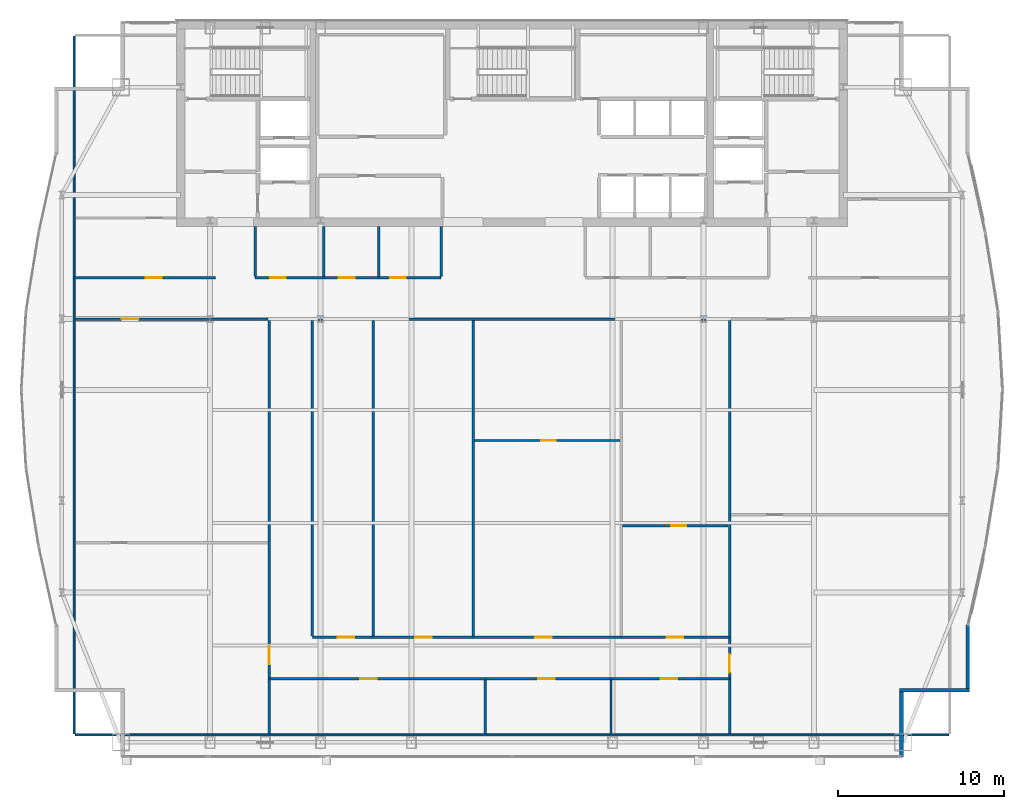
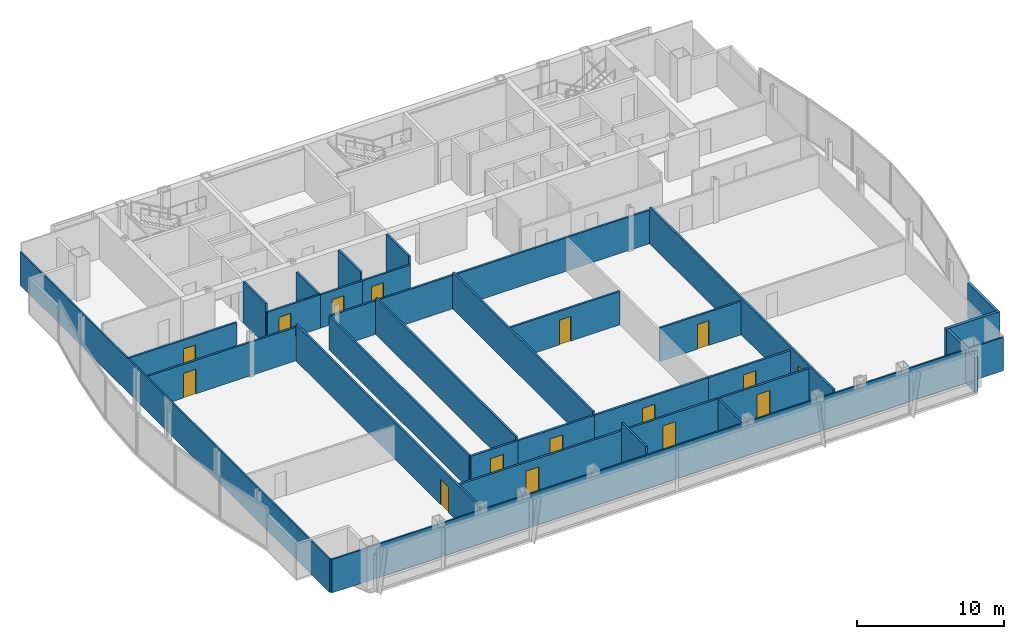
# One storey, part 25 of 30: 31 walls, 16 doors, 16 openings.
"""IFC4 building model written with IfcOpenShell, lengths in metres."""

import ifcopenshell
import ifcopenshell.guid

model = None  # the IFC model being written
_history = None  # IfcOwnerHistory: only IFC2X3 demands one
_inside = {}  # id of a spatial element -> (the spatial element, [elements in it])
_under = {}  # id of a project, library or spatial element -> (it, [spatial elements below it])
_declared = {}  # id of a project -> (the project, [libraries it declares])
_typed = {}  # id of a type object -> (the type object, [elements of that type])
_made_of = {}  # id of a material, layer set ... -> (it, [elements and type objects made of it])


def new_model(schema):
    """Start an empty IFC model of exactly this schema.

    Asked for "IFC4X3", IfcOpenShell would pick the latest addendum, in which some entities
    have other attributes; the version numbers below select the first issue.
    IFC2X3 requires an IfcOwnerHistory on every rooted entity: one is made here for all.
    """
    global model, _history
    if schema == "IFC4X3":
        model = ifcopenshell.file(schema_version=(4, 3, 0, 0))
    else:
        model = ifcopenshell.file(schema=schema)
    _inside.clear()
    _under.clear()
    _declared.clear()
    _typed.clear()
    _made_of.clear()
    _history = None
    if model.schema == "IFC2X3":
        org = make("IfcOrganization", Name="unknown")
        user = make(
            "IfcPersonAndOrganization",
            ThePerson=make("IfcPerson", FamilyName="unknown"),
            TheOrganization=org,
        )
        app = make(
            "IfcApplication",
            ApplicationDeveloper=org,
            Version="unknown",
            ApplicationFullName="unknown",
            ApplicationIdentifier="unknown",
        )
        _history = make(
            "IfcOwnerHistory",
            OwningUser=user,
            OwningApplication=app,
            ChangeAction="ADDED",
            CreationDate=0,
        )
    return model


def make(cls, **values):
    """One entity of the class cls with the attributes given. An attribute that is None is left unset."""
    return model.create_entity(
        cls, **{name: value for name, value in values.items() if value is not None}
    )


def rooted(cls, **values):
    """An entity with a GlobalId (a new one), such as an element, a storey or a relation."""
    return make(cls, GlobalId=ifcopenshell.guid.new(), OwnerHistory=_history, **values)


def si_unit(unit_type, name, prefix=None):
    """IfcSIUnit, for example si_unit("LENGTHUNIT", "METRE", prefix="MILLI")."""
    return make("IfcSIUnit", UnitType=unit_type, Prefix=prefix, Name=name)


def assignment(units):
    """IfcUnitAssignment: the units of a project."""
    return None if units is None else make("IfcUnitAssignment", Units=units)


def point(xyz):
    """IfcCartesianPoint."""
    return None if xyz is None else make("IfcCartesianPoint", Coordinates=xyz)


def direction(xyz):
    """IfcDirection."""
    return None if xyz is None else make("IfcDirection", DirectionRatios=xyz)


def frame(location, z_axis=None, x_axis=None):
    """IfcAxis2Placement3D, a coordinate frame: its origin and axes. An axis left out is left unset."""
    return make(
        "IfcAxis2Placement3D",
        Location=point(location),
        Axis=direction(z_axis),
        RefDirection=direction(x_axis),
    )


def frame_2d(location, x_axis=None):
    """IfcAxis2Placement2D, a coordinate frame in the plane: its origin and x axis."""
    return make(
        "IfcAxis2Placement2D", Location=point(location), RefDirection=direction(x_axis)
    )


def origin():
    """The frame at (0, 0, 0) with its axes left unset."""
    return frame((0.0, 0.0, 0.0))


def place(relative_to, where):
    """IfcLocalPlacement: puts the frame where relative to a parent placement (None: the world)."""
    return make(
        "IfcLocalPlacement", PlacementRelTo=relative_to, RelativePlacement=where
    )


def context(
    kind, dimensions, precision=None, world=None, true_north=None, identifier=None
):
    """IfcGeometricRepresentationContext, for example the 3D "Model" context."""
    return make(
        "IfcGeometricRepresentationContext",
        ContextIdentifier=identifier,
        ContextType=kind,
        CoordinateSpaceDimension=dimensions,
        Precision=precision,
        WorldCoordinateSystem=world,
        TrueNorth=true_north,
    )


def subcontext(parent, identifier, kind, view, scale=None):
    """IfcGeometricRepresentationSubContext, for example "Body" below "Model"."""
    return make(
        "IfcGeometricRepresentationSubContext",
        ContextIdentifier=identifier,
        ContextType=kind,
        ParentContext=parent,
        TargetScale=scale,
        TargetView=view,
    )


def project(units=None, contexts=None):
    """IfcProject with its units and contexts."""
    return rooted(
        "IfcProject",
        Name="project",
        RepresentationContexts=contexts,
        UnitsInContext=assignment(units),
    )


def spatial(cls, under=None, at=None, **own):
    """A site, building, storey or space (cls), placed at a placement, below another one or the project."""
    s = rooted(cls, ObjectPlacement=at, **own)
    if under is not None:
        _under.setdefault(under.id(), (under, []))[1].append(s)
    return s


def profile(cls, at=None, kind="AREA", **sizes):
    """A parametric profile (cls). Its sizes go by their IFC names, for example OverallWidth=200.0."""
    return make(cls, ProfileType=kind, Position=at, **sizes)


def rectangle(**sizes):
    """IfcRectangleProfileDef."""
    return profile("IfcRectangleProfileDef", **sizes)


def extrude(swept, where, along, depth):
    """IfcExtrudedAreaSolid: the profile swept, set in the frame where, extruded along a direction by depth."""
    return make(
        "IfcExtrudedAreaSolid",
        SweptArea=swept,
        Position=where,
        ExtrudedDirection=direction(along),
        Depth=depth,
    )


def shape(context_of_items, identifier, shape_type, items):
    """IfcShapeRepresentation: the items that make up one representation, for example the "Body"."""
    return make(
        "IfcShapeRepresentation",
        ContextOfItems=context_of_items,
        RepresentationIdentifier=identifier,
        RepresentationType=shape_type,
        Items=items,
    )


def material(Name=None, Category=None):
    """IfcMaterial."""
    return make("IfcMaterial", Name=Name, Category=Category)


def layer(
    of_material, thickness, ventilated=None, Name=None, Category=None, Priority=None
):
    """IfcMaterialLayer: one layer of a wall or slab, of a material (None: an air gap)."""
    return make(
        "IfcMaterialLayer",
        Material=of_material,
        LayerThickness=thickness,
        IsVentilated=ventilated,
        Name=Name,
        Category=Category,
        Priority=Priority,
    )


def layer_set(layers, Name=None):
    """IfcMaterialLayerSet."""
    return make("IfcMaterialLayerSet", MaterialLayers=layers, LayerSetName=Name)


def made_of(thing, what):
    """Note that an element or type object is made of a material, layer set ...; save() writes the relation."""
    if what is not None:
        _made_of.setdefault(what.id(), (what, []))[1].append(thing)
    return thing


def type_object(cls, material=None, **own):
    """A type object (cls), such as IfcWallType, which elements share."""
    return made_of(rooted(cls, **own), material)


def element(
    cls,
    number,
    at=None,
    inside=None,
    cuts=None,
    type_object=None,
    material=None,
    context=None,
    identifier="Body",
    shape_type=None,
    held_by="IfcProductDefinitionShape",
    body=None,
    shapes=None,
    **own,
):
    """One element of the class cls, such as IfcWall. Its Tag is "e" and its number.

    at: its placement. inside: the storey or other place that contains it. cuts: it is an
    opening in that element (IfcRelVoidsElement). A single representation is given by context,
    identifier, shape_type and body (its items); several are given by shapes. held_by: the class
    of the entity that holds the representations. save() writes the other relations.
    """
    e = rooted(cls, Tag="e%d" % number, ObjectPlacement=at, **own)
    if body is not None:
        shapes = [shape(context, identifier, shape_type, body)]
    if shapes is not None:
        e.Representation = make(held_by, Representations=shapes)
    if inside is not None:
        _inside.setdefault(inside.id(), (inside, []))[1].append(e)
    if cuts is not None:
        rooted(
            "IfcRelVoidsElement", RelatingBuildingElement=cuts, RelatedOpeningElement=e
        )
    if type_object is not None:
        _typed.setdefault(type_object.id(), (type_object, []))[1].append(e)
    return made_of(e, material)


def fill(opening, filler):
    """IfcRelFillsElement: the door or window that sits in an opening."""
    return rooted(
        "IfcRelFillsElement",
        RelatingOpeningElement=opening,
        RelatedBuildingElement=filler,
    )


def aggregate(whole, parts):
    """IfcRelAggregates: a whole, such as a stair, and the parts it consists of."""
    return rooted("IfcRelAggregates", RelatingObject=whole, RelatedObjects=parts)


def save(model, path):
    """Write the relations noted so far, then the file.

    IfcRelAggregates (storeys below a building ...), IfcRelContainedInSpatialStructure (elements
    in a storey), IfcRelDefinesByType, IfcRelAssociatesMaterial and IfcRelDeclares: one each for
    every whole, place, type object, material and project.
    """
    for whole, parts in _under.values():
        aggregate(whole, parts)
    for where, things in _inside.values():
        rooted(
            "IfcRelContainedInSpatialStructure",
            RelatedElements=things,
            RelatingStructure=where,
        )
    for kind, things in _typed.values():
        rooted("IfcRelDefinesByType", RelatedObjects=things, RelatingType=kind)
    for what, things in _made_of.values():
        rooted("IfcRelAssociatesMaterial", RelatedObjects=things, RelatingMaterial=what)
    for by, libraries in _declared.values():
        rooted("IfcRelDeclares", RelatingContext=by, RelatedDefinitions=libraries)
    model.write(path)


model = new_model("IFC4")

# Units and contexts
model_context = context("Model", 3, precision=1e-05, world=origin(), true_north=direction((0.0, 1.0)))
body_context = subcontext(model_context, "Body", "Model", "MODEL_VIEW")
ifc_project = project(units=[si_unit("LENGTHUNIT", "METRE"), si_unit("AREAUNIT", "SQUARE_METRE"), si_unit("VOLUMEUNIT", "CUBIC_METRE"), si_unit("PLANEANGLEUNIT", "RADIAN"), si_unit("MASSUNIT", "GRAM", prefix="KILO")], contexts=[model_context])

# Site, building, storey
site_placement = place(None, origin())
site = spatial("IfcSite", under=ifc_project, at=site_placement, CompositionType="ELEMENT")
building_placement = place(site_placement, origin())
building = spatial("IfcBuilding", under=site, at=building_placement, Name="Khoronbel Lancet Exchange", CompositionType="ELEMENT")
storey_placement = place(building_placement, frame((0.0, 0.0, 269.800048828125)))
storey = spatial("IfcBuildingStorey", under=building, at=storey_placement, Name="L69", CompositionType="ELEMENT", Elevation=269.800048828125)

# Walls
ifc_material_1 = material(Name="Precast concrete C40/50", Category="concrete")
ifc_layer_1 = layer(ifc_material_1, 0.25, Name="Precast concrete C40/50")
ifc_layer_set_1 = layer_set([ifc_layer_1], Name="Precast concrete C40/50")
wall_type_1 = type_object("IfcWallType", Name="WL-EXT250", PredefinedType="SOLIDWALL", material=ifc_layer_set_1)
wall_1_placement = place(storey_placement, frame((63.9599609375, 17.229736328125, 0.0), z_axis=(0.0, 0.0, 1.0), x_axis=(0.0, -1.0, 0.0)))
element("IfcWall", 1, at=wall_1_placement, inside=storey, type_object=wall_type_1, Name="Level L69 notched-corner limestone pier 23", PredefinedType="SOLIDWALL", context=body_context, shape_type="SweptSolid", body=[
    extrude(rectangle(XDim=3.829833984375, YDim=0.219970703125, at=frame_2d((1.9150390625, 0.0))), origin(), (0.0, 0.0, 1.0), 2.8798828125),
])
wall_2_placement = place(storey_placement, frame((64.070068359375, 13.2900390625, 0.0), z_axis=(0.0, 0.0, 1.0), x_axis=(-1.0, 0.0, 0.0)))
element("IfcWall", 2, at=wall_2_placement, inside=storey, type_object=wall_type_1, Name="Level L69 notched-corner limestone pier 24", PredefinedType="SOLIDWALL", context=body_context, shape_type="SweptSolid", body=[
    extrude(rectangle(XDim=4.219970703125, YDim=0.219970703125, at=frame_2d((2.10986328125, 0.0))), origin(), (0.0, 0.0, 1.0), 2.8798828125),
])
wall_3_placement = place(storey_placement, frame((59.9599609375, 13.179931640625, 0.0), z_axis=(0.0, 0.0, 1.0), x_axis=(0.0, -1.0, 0.0)))
element("IfcWall", 3, at=wall_3_placement, inside=storey, type_object=wall_type_1, Name="Level L69 notched-corner limestone pier 25", PredefinedType="SOLIDWALL", context=body_context, shape_type="SweptSolid", body=[
    extrude(rectangle(XDim=3.909912109375, YDim=0.219970703125, at=frame_2d((1.955078125, 0.0))), origin(), (0.0, 0.0, 1.0), 2.8798828125),
])
ifc_material_2 = material(Name="Acoustic Metal-Stud & Mineral-Wool Gypsum Partition 120 mm", Category="gypsum")
ifc_layer_2 = layer(ifc_material_2, 0.1201171875, Name="Acoustic Metal-Stud & Mineral-Wool Gypsum Partition 120 mm")
ifc_layer_set_2 = layer_set([ifc_layer_2], Name="Acoustic Metal-Stud & Mineral-Wool Gypsum Partition 120 mm")
wall_type_2 = type_object("IfcWallType", Name="WL-PRT120", PredefinedType="PARTITIONING", material=ifc_layer_set_2)
wall_4_placement = place(storey_placement, frame((20.949951171875, 38.280029296875, 0.0), z_axis=(0.0, 0.0, 1.0), x_axis=(0.0, 1.0, 0.0)))
element("IfcWall", 4, at=wall_4_placement, inside=storey, type_object=wall_type_2, Name="Level L69 interior partition PW-WC-0", PredefinedType="PARTITIONING", context=body_context, shape_type="SweptSolid", body=[
    extrude(rectangle(XDim=3.02001953125, YDim=0.14990234375, at=frame_2d((1.510009765625, 0.0))), origin(), (0.0, 0.0, 1.0), 3.43994140625),
])
wall_5_placement = place(storey_placement, frame((25.10009765625, 38.280029296875, 0.0), z_axis=(0.0, 0.0, 1.0), x_axis=(0.0, 1.0, 0.0)))
element("IfcWall", 5, at=wall_5_placement, inside=storey, type_object=wall_type_2, Name="Level L69 interior partition PW-WC-1", PredefinedType="PARTITIONING", context=body_context, shape_type="SweptSolid", body=[
    extrude(rectangle(XDim=3.02001953125, YDim=0.14990234375, at=frame_2d((1.510009765625, 0.0))), origin(), (0.0, 0.0, 1.0), 2.780029296875),
])
for number, where, z_axis, x_axis, name in (
    (6, (28.39990234375, 38.280029296875, 0.0), (0.0, 0.0, 1.0), (0.0, 1.0, 0.0), "Level L69 interior partition PW-WC-2"),
    (7, (32.179931640625, 38.280029296875, 0.0), (0.0, 0.0, 1.0), (0.0, 1.0, 0.0), "Level L69 interior partition PW-WC-3"),
):
    element("IfcWall", number, at=place(storey_placement, frame(where, z_axis=z_axis, x_axis=x_axis)), inside=storey, type_object=wall_type_2, Name=name, PredefinedType="PARTITIONING", context=body_context, shape_type="SweptSolid", body=[
        extrude(rectangle(XDim=3.02001953125, YDim=0.14990234375, at=frame_2d((1.510009765625, 0.0))), origin(), (0.0, 0.0, 1.0), 3.43994140625),
    ])

# Wall, opening, door
wall_6_placement = place(storey_placement, frame((34.187255859375, 28.371337890625, 0.0), z_axis=(0.0, 0.0, 1.0), x_axis=(1.0, 0.0, 0.0)))
wall_6 = element("IfcWall", 8, at=wall_6_placement, inside=storey, type_object=wall_type_2, Name="Level L69 interior partition PW-Z4C-H3", PredefinedType="PARTITIONING", context=body_context, shape_type="SweptSolid", body=[
    extrude(rectangle(XDim=8.76904296875, YDim=0.14990234375, at=frame_2d((4.384521484375, 0.0))), origin(), (0.0, 0.0, 1.0), 2.780029296875),
])
opening_1_placement = place(wall_6_placement, frame((4.01806640625, 0.0, 0.0)))
opening_1 = element("IfcOpeningElement", 9, at=opening_1_placement, cuts=wall_6, Name="Opening D5", PredefinedType="OPENING", context=body_context, shape_type="SweptSolid", body=[
    extrude(rectangle(XDim=0.89990234375, YDim=2.050048828125, at=frame_2d((0.449951171875, 1.02490234375))), frame((0.0, 0.0849609375, 0.0), z_axis=(0.0, -1.0, 0.0), x_axis=(1.0, 0.0, 0.0)), (0.0, 0.0, 1.0), 0.169921875),
])
ifc_material_3 = material(Name="Acoustic Timber Pantry & Support Door", Category="wood")
door_type_1 = type_object("IfcDoorType", Name="DR-D5", OperationType="NOTDEFINED", PredefinedType="DOOR", material=ifc_material_3)
door_1_placement = place(opening_1_placement, origin())
door_1 = element("IfcDoor", 10, at=door_1_placement, inside=storey, type_object=door_type_1, Name="Z4C inner door 3 L69-1", OperationType="SINGLE_SWING_RIGHT", OverallHeight=2.050048828125, OverallWidth=0.89990234375, PredefinedType="DOOR", context=body_context, shape_type="SweptSolid", body=[
    extrude(rectangle(XDim=0.89990234375, YDim=2.050048828125, at=frame_2d((0.449951171875, 1.02490234375))), frame((0.0, 0.02490234375, 0.0), z_axis=(0.0, -1.0, 0.0), x_axis=(1.0, 0.0, 0.0)), (0.0, 0.0, 1.0), 0.050048828125),
])
fill(opening_1, door_1)

wall_7_placement = place(storey_placement, frame((43.1162109375, 23.227294921875, 0.0), z_axis=(0.0, 0.0, 1.0), x_axis=(1.0, 0.0, 0.0)))
wall_7 = element("IfcWall", 11, at=wall_7_placement, inside=storey, type_object=wall_type_2, Name="Level L69 interior partition PW-Z4C-H4", PredefinedType="PARTITIONING", context=body_context, shape_type="SweptSolid", body=[
    extrude(rectangle(XDim=6.3837890625, YDim=0.14990234375, at=frame_2d((3.19189453125, 0.0))), origin(), (0.0, 0.0, 1.0), 2.780029296875),
])
opening_2_placement = place(wall_7_placement, frame((2.944580078125, 0.0, 0.0)))
opening_2 = element("IfcOpeningElement", 12, at=opening_2_placement, cuts=wall_7, Name="Opening D5", PredefinedType="OPENING", context=body_context, shape_type="SweptSolid", body=[
    extrude(rectangle(XDim=0.89990234375, YDim=2.050048828125, at=frame_2d((0.449951171875, 1.02490234375))), frame((0.0, 0.0849609375, 0.0), z_axis=(0.0, -1.0, 0.0), x_axis=(1.0, 0.0, 0.0)), (0.0, 0.0, 1.0), 0.169921875),
])
door_2_placement = place(opening_2_placement, origin())
door_2 = element("IfcDoor", 13, at=door_2_placement, inside=storey, type_object=door_type_1, Name="Z4C inner door 4 L69-1", OperationType="SINGLE_SWING_RIGHT", OverallHeight=2.050048828125, OverallWidth=0.89990234375, PredefinedType="DOOR", context=body_context, shape_type="SweptSolid", body=[
    extrude(rectangle(XDim=0.89990234375, YDim=2.050048828125, at=frame_2d((0.449951171875, 1.02490234375))), frame((0.0, 0.02490234375, 0.0), z_axis=(0.0, -1.0, 0.0), x_axis=(1.0, 0.0, 0.0)), (0.0, 0.0, 1.0), 0.050048828125),
])
fill(opening_2, door_2)

# Walls
wall_8_placement = place(storey_placement, frame((10.030029296875, 10.6650390625, 0.0), z_axis=(0.0, 0.0, 1.0), x_axis=(0.0, 1.0, 0.0)))
element("IfcWall", 14, at=wall_8_placement, inside=storey, type_object=wall_type_2, Name="Level L69 interior partition PW-LIN-W", PredefinedType="PARTITIONING", context=body_context, shape_type="SweptSolid", body=[
    extrude(rectangle(XDim=42.10986328125, YDim=0.1201171875, at=frame_2d((21.054931640625, 0.0))), origin(), (0.0, 0.0, 1.0), 2.780029296875),
])
wall_9_placement = place(storey_placement, frame((10.094970703125, 10.60009765625, 0.0), z_axis=(0.0, 0.0, 1.0), x_axis=(1.0, 0.0, 0.0)))
element("IfcWall", 15, at=wall_9_placement, inside=storey, type_object=wall_type_2, Name="Level L69 interior partition PW-LIN-S", PredefinedType="PARTITIONING", context=body_context, shape_type="SweptSolid", body=[
    extrude(rectangle(XDim=52.7099609375, YDim=0.1201171875, at=frame_2d((26.35498046875, 0.0))), origin(), (0.0, 0.0, 1.0), 2.780029296875),
])

# Wall, opening, door
ifc_material_4 = material(Name="Fire-Rated Twin-Stud Acoustic Gypsum Partition 150 mm", Category="gypsum")
ifc_layer_3 = layer(ifc_material_4, 0.14990234375, Name="Fire-Rated Twin-Stud Acoustic Gypsum Partition 150 mm")
ifc_layer_set_3 = layer_set([ifc_layer_3], Name="Fire-Rated Twin-Stud Acoustic Gypsum Partition 150 mm")
wall_type_3 = type_object("IfcWallType", Name="WL-PRT150C", PredefinedType="PARTITIONING", material=ifc_layer_set_3)
wall_10_placement = place(storey_placement, frame((20.949951171875, 38.199951171875, 0.0), z_axis=(0.0, 0.0, 1.0), x_axis=(1.0, 0.0, 0.0)))
wall_10 = element("IfcWall", 16, at=wall_10_placement, inside=storey, type_object=wall_type_3, Name="Level L69 interior partition PW-WC-S1", PredefinedType="PARTITIONING", context=body_context, shape_type="SweptSolid", body=[
    extrude(rectangle(XDim=4.150146484375, YDim=0.14990234375, at=frame_2d((2.0751953125, 0.0))), origin(), (0.0, 0.0, 1.0), 2.780029296875),
])
opening_3_placement = place(wall_10_placement, frame((0.89990234375, 0.0, 0.0)))
opening_3 = element("IfcOpeningElement", 17, at=opening_3_placement, cuts=wall_10, Name="Opening D4", PredefinedType="OPENING", context=body_context, shape_type="SweptSolid", body=[
    extrude(rectangle(XDim=0.949951171875, YDim=2.050048828125, at=frame_2d((0.47509765625, 1.02490234375))), frame((0.0, 0.0849609375, 0.0), z_axis=(0.0, -1.0, 0.0), x_axis=(1.0, 0.0, 0.0)), (0.0, 0.0, 1.0), 0.169921875),
])
ifc_material_5 = material(Name="Moisture-Resistant HPL Washroom Door", Category="wood")
door_type_2 = type_object("IfcDoorType", Name="DR-D4", OperationType="NOTDEFINED", PredefinedType="DOOR", material=ifc_material_5)
door_3_placement = place(opening_3_placement, origin())
door_3 = element("IfcDoor", 18, at=door_3_placement, inside=storey, type_object=door_type_2, Name="Male washroom door L69-1", OperationType="SINGLE_SWING_RIGHT", OverallHeight=2.050048828125, OverallWidth=0.949951171875, PredefinedType="DOOR", context=body_context, shape_type="SweptSolid", body=[
    extrude(rectangle(XDim=0.949951171875, YDim=2.050048828125, at=frame_2d((0.47509765625, 1.02490234375))), frame((0.0, 0.02490234375, 0.0), z_axis=(0.0, -1.0, 0.0), x_axis=(1.0, 0.0, 0.0)), (0.0, 0.0, 1.0), 0.050048828125),
])
fill(opening_3, door_3)

wall_11_placement = place(storey_placement, frame((25.10009765625, 38.199951171875, 0.0), z_axis=(0.0, 0.0, 1.0), x_axis=(1.0, 0.0, 0.0)))
wall_11 = element("IfcWall", 19, at=wall_11_placement, inside=storey, type_object=wall_type_3, Name="Level L69 interior partition PW-WC-S2", PredefinedType="PARTITIONING", context=body_context, shape_type="SweptSolid", body=[
    extrude(rectangle(XDim=3.2998046875, YDim=0.14990234375, at=frame_2d((1.64990234375, 0.0))), origin(), (0.0, 0.0, 1.0), 2.780029296875),
])
opening_4_placement = place(wall_11_placement, frame((0.89990234375, 0.0, 0.0)))
opening_4 = element("IfcOpeningElement", 20, at=opening_4_placement, cuts=wall_11, Name="Opening D4", PredefinedType="OPENING", context=body_context, shape_type="SweptSolid", body=[
    extrude(rectangle(XDim=0.949951171875, YDim=2.050048828125, at=frame_2d((0.47509765625, 1.02490234375))), frame((0.0, 0.0849609375, 0.0), z_axis=(0.0, -1.0, 0.0), x_axis=(1.0, 0.0, 0.0)), (0.0, 0.0, 1.0), 0.169921875),
])
door_4_placement = place(opening_4_placement, origin())
door_4 = element("IfcDoor", 21, at=door_4_placement, inside=storey, type_object=door_type_2, Name="Female washroom door L69-1", OperationType="SINGLE_SWING_LEFT", OverallHeight=2.050048828125, OverallWidth=0.949951171875, PredefinedType="DOOR", context=body_context, shape_type="SweptSolid", body=[
    extrude(rectangle(XDim=0.949951171875, YDim=2.050048828125, at=frame_2d((0.47509765625, 1.02490234375))), frame((0.0, 0.02490234375, 0.0), z_axis=(0.0, -1.0, 0.0), x_axis=(1.0, 0.0, 0.0)), (0.0, 0.0, 1.0), 0.050048828125),
])
fill(opening_4, door_4)

wall_12_placement = place(storey_placement, frame((28.39990234375, 38.199951171875, 0.0), z_axis=(0.0, 0.0, 1.0), x_axis=(1.0, 0.0, 0.0)))
wall_12 = element("IfcWall", 22, at=wall_12_placement, inside=storey, type_object=wall_type_3, Name="Level L69 interior partition PW-WC-S3", PredefinedType="PARTITIONING", context=body_context, shape_type="SweptSolid", body=[
    extrude(rectangle(XDim=3.780029296875, YDim=0.14990234375, at=frame_2d((1.89013671875, 0.0))), origin(), (0.0, 0.0, 1.0), 2.780029296875),
])
opening_5_placement = place(wall_12_placement, frame((0.699951171875, 0.0, 0.0)))
opening_5 = element("IfcOpeningElement", 23, at=opening_5_placement, cuts=wall_12, Name="Opening D4", PredefinedType="OPENING", context=body_context, shape_type="SweptSolid", body=[
    extrude(rectangle(XDim=0.949951171875, YDim=2.050048828125, at=frame_2d((0.47509765625, 1.02490234375))), frame((0.0, 0.0849609375, 0.0), z_axis=(0.0, -1.0, 0.0), x_axis=(1.0, 0.0, 0.0)), (0.0, 0.0, 1.0), 0.169921875),
])
door_5_placement = place(opening_5_placement, origin())
door_5 = element("IfcDoor", 24, at=door_5_placement, inside=storey, type_object=door_type_2, Name="Accessible WC door L69-1", OperationType="SINGLE_SWING_RIGHT", OverallHeight=2.050048828125, OverallWidth=0.949951171875, PredefinedType="DOOR", context=body_context, shape_type="SweptSolid", body=[
    extrude(rectangle(XDim=0.949951171875, YDim=2.050048828125, at=frame_2d((0.47509765625, 1.02490234375))), frame((0.0, 0.02490234375, 0.0), z_axis=(0.0, -1.0, 0.0), x_axis=(1.0, 0.0, 0.0)), (0.0, 0.0, 1.0), 0.050048828125),
])
fill(opening_5, door_5)

wall_13_placement = place(storey_placement, frame((10.030029296875, 38.199951171875, 0.0), z_axis=(0.0, 0.0, 1.0), x_axis=(1.0, 0.0, 0.0)))
wall_13 = element("IfcWall", 25, at=wall_13_placement, inside=storey, type_object=wall_type_3, Name="Level L69 interior partition PW-NW-S", PredefinedType="PARTITIONING", context=body_context, shape_type="SweptSolid", body=[
    extrude(rectangle(XDim=8.52001953125, YDim=0.14990234375, at=frame_2d((4.260009765625, 0.0))), origin(), (0.0, 0.0, 1.0), 2.780029296875),
])
opening_6_placement = place(wall_13_placement, frame((4.320068359375, 0.0, 0.0)))
opening_6 = element("IfcOpeningElement", 26, at=opening_6_placement, cuts=wall_13, Name="Opening D1", PredefinedType="OPENING", context=body_context, shape_type="SweptSolid", body=[
    extrude(rectangle(XDim=0.949951171875, YDim=2.050048828125, at=frame_2d((0.47509765625, 1.02490234375))), frame((0.0, 0.0849609375, 0.0), z_axis=(0.0, -1.0, 0.0), x_axis=(1.0, 0.0, 0.0)), (0.0, 0.0, 1.0), 0.169921875),
])
ifc_material_6 = material(Name="Acoustic Veneered Timber & Bronze Frame Door", Category="wood")
door_type_3 = type_object("IfcDoorType", Name="DR-D1", OperationType="NOTDEFINED", PredefinedType="DOOR", material=ifc_material_6)
door_6_placement = place(opening_6_placement, origin())
door_6 = element("IfcDoor", 27, at=door_6_placement, inside=storey, type_object=door_type_3, Name="NW corner room door L69-1", OperationType="SINGLE_SWING_LEFT", OverallHeight=2.050048828125, OverallWidth=0.949951171875, PredefinedType="DOOR", context=body_context, shape_type="SweptSolid", body=[
    extrude(rectangle(XDim=0.949951171875, YDim=2.050048828125, at=frame_2d((0.47509765625, 1.02490234375))), frame((0.0, 0.02490234375, 0.0), z_axis=(0.0, -1.0, 0.0), x_axis=(1.0, 0.0, 0.0)), (0.0, 0.0, 1.0), 0.050048828125),
])
fill(opening_6, door_6)

wall_14_placement = place(storey_placement, frame((21.800048828125, 10.6650390625, 0.0), z_axis=(0.0, 0.0, 1.0), x_axis=(0.0, 1.0, 0.0)))
wall_14 = element("IfcWall", 28, at=wall_14_placement, inside=storey, type_object=wall_type_3, Name="Level L69 interior partition PW-Z4-WW", PredefinedType="PARTITIONING", context=body_context, shape_type="SweptSolid", body=[
    extrude(rectangle(XDim=24.955078125, YDim=0.14990234375, at=frame_2d((12.4775390625, 0.0))), origin(), (0.0, 0.0, 1.0), 3.030029296875),
])
opening_7_placement = place(wall_14_placement, frame((4.199951171875, 0.0, 0.0)))
opening_7 = element("IfcOpeningElement", 29, at=opening_7_placement, cuts=wall_14, Name="Opening D6", PredefinedType="OPENING", context=body_context, shape_type="SweptSolid", body=[
    extrude(rectangle(XDim=1.10009765625, YDim=2.10009765625, at=frame_2d((0.550048828125, 1.050048828125))), frame((0.0, 0.0849609375, 0.0), z_axis=(0.0, -1.0, 0.0), x_axis=(1.0, 0.0, 0.0)), (0.0, 0.0, 1.0), 0.169921875),
])
ifc_material_7 = material(Name="Acoustic Bronze-Veneer Executive Suite Door", Category="wood")
door_type_4 = type_object("IfcDoorType", Name="DR-D6", OperationType="NOTDEFINED", PredefinedType="DOOR", material=ifc_material_7)
door_7_placement = place(opening_7_placement, origin())
door_7 = element("IfcDoor", 30, at=door_7_placement, inside=storey, type_object=door_type_4, Name="West lens presidential door L69-1", OperationType="SINGLE_SWING_LEFT", OverallHeight=2.10009765625, OverallWidth=1.10009765625, PredefinedType="DOOR", context=body_context, shape_type="SweptSolid", body=[
    extrude(rectangle(XDim=1.10009765625, YDim=2.10009765625, at=frame_2d((0.550048828125, 1.050048828125))), frame((0.0, 0.02490234375, 0.0), z_axis=(0.0, -1.0, 0.0), x_axis=(1.0, 0.0, 0.0)), (0.0, 0.0, 1.0), 0.050048828125),
])
fill(opening_7, door_7)

wall_15_placement = place(storey_placement, frame((10.094970703125, 35.699951171875, 0.0), z_axis=(0.0, 0.0, 1.0), x_axis=(1.0, 0.0, 0.0)))
wall_15 = element("IfcWall", 31, at=wall_15_placement, inside=storey, type_object=wall_type_3, Name="Level L69 interior partition PW-Z4-WN", PredefinedType="PARTITIONING", context=body_context, shape_type="SweptSolid", body=[
    extrude(rectangle(XDim=11.625, YDim=0.14990234375, at=frame_2d((5.8125, 0.0))), origin(), (0.0, 0.0, 1.0), 2.780029296875),
])
opening_8_placement = place(wall_15_placement, frame((2.800048828125, 0.0, 0.0)))
opening_8 = element("IfcOpeningElement", 32, at=opening_8_placement, cuts=wall_15, Name="Opening D2", PredefinedType="OPENING", context=body_context, shape_type="SweptSolid", body=[
    extrude(rectangle(XDim=1.0, YDim=2.050048828125, at=frame_2d((0.5, 1.02490234375))), frame((0.0, 0.0849609375, 0.0), z_axis=(0.0, -1.0, 0.0), x_axis=(1.0, 0.0, 0.0)), (0.0, 0.0, 1.0), 0.169921875),
])
door_type_5 = type_object("IfcDoorType", Name="DR-D2", OperationType="NOTDEFINED", PredefinedType="DOOR", material=ifc_material_6)
door_8_placement = place(opening_8_placement, origin())
door_8 = element("IfcDoor", 33, at=door_8_placement, inside=storey, type_object=door_type_5, Name="West lens north door L69-1", OperationType="SINGLE_SWING_RIGHT", OverallHeight=2.050048828125, OverallWidth=1.0, PredefinedType="DOOR", context=body_context, shape_type="SweptSolid", body=[
    extrude(rectangle(XDim=1.0, YDim=2.050048828125, at=frame_2d((0.5, 1.02490234375))), frame((0.0, 0.02490234375, 0.0), z_axis=(0.0, -1.0, 0.0), x_axis=(1.0, 0.0, 0.0)), (0.0, 0.0, 1.0), 0.050048828125),
])
fill(opening_8, door_8)

# Wall
wall_16_placement = place(storey_placement, frame((24.39990234375, 16.5849609375, 0.0), z_axis=(0.0, 0.0, 1.0), x_axis=(0.0, 1.0, 0.0)))
element("IfcWall", 34, at=wall_16_placement, inside=storey, type_object=wall_type_3, Name="Level L69 interior partition PW-Z4-WE", PredefinedType="PARTITIONING", context=body_context, shape_type="SweptSolid", body=[
    extrude(rectangle(XDim=19.03515625, YDim=0.14990234375, at=frame_2d((9.517578125, 0.0))), origin(), (0.0, 0.0, 1.0), 2.780029296875),
])

# Wall, opening, door
wall_17_placement = place(storey_placement, frame((49.580078125, 10.6650390625, 0.0), z_axis=(0.0, 0.0, 1.0), x_axis=(0.0, 1.0, 0.0)))
wall_17 = element("IfcWall", 35, at=wall_17_placement, inside=storey, type_object=wall_type_3, Name="Level L69 interior partition PW-Z4-PE", PredefinedType="PARTITIONING", context=body_context, shape_type="SweptSolid", body=[
    extrude(rectangle(XDim=24.955078125, YDim=0.14990234375, at=frame_2d((12.4775390625, 0.0))), origin(), (0.0, 0.0, 1.0), 3.030029296875),
])
opening_9_placement = place(wall_17_placement, frame((3.699951171875, 0.0, 0.0)))
opening_9 = element("IfcOpeningElement", 36, at=opening_9_placement, cuts=wall_17, Name="Opening D6", PredefinedType="OPENING", context=body_context, shape_type="SweptSolid", body=[
    extrude(rectangle(XDim=1.10009765625, YDim=2.10009765625, at=frame_2d((0.550048828125, 1.050048828125))), frame((0.0, 0.0849609375, 0.0), z_axis=(0.0, -1.0, 0.0), x_axis=(1.0, 0.0, 0.0)), (0.0, 0.0, 1.0), 0.169921875),
])
door_9_placement = place(opening_9_placement, origin())
door_9 = element("IfcDoor", 37, at=door_9_placement, inside=storey, type_object=door_type_4, Name="East lens south door L69-1", OperationType="SINGLE_SWING_RIGHT", OverallHeight=2.10009765625, OverallWidth=1.10009765625, PredefinedType="DOOR", context=body_context, shape_type="SweptSolid", body=[
    extrude(rectangle(XDim=1.10009765625, YDim=2.10009765625, at=frame_2d((0.550048828125, 1.050048828125))), frame((0.0, 0.02490234375, 0.0), z_axis=(0.0, -1.0, 0.0), x_axis=(1.0, 0.0, 0.0)), (0.0, 0.0, 1.0), 0.050048828125),
])
fill(opening_9, door_9)

# Walls
wall_18_placement = place(storey_placement, frame((24.47998046875, 35.699951171875, 0.0), z_axis=(0.0, 0.0, 1.0), x_axis=(1.0, 0.0, 0.0)))
element("IfcWall", 38, at=wall_18_placement, inside=storey, type_object=wall_type_3, Name="Level L69 interior partition PW-Z4-EN1", PredefinedType="PARTITIONING", context=body_context, shape_type="SweptSolid", body=[
    extrude(rectangle(XDim=25.02001953125, YDim=0.14990234375, at=frame_2d((12.510009765625, 0.0))), origin(), (0.0, 0.0, 1.0), 2.780029296875),
])
for number, where, z_axis, x_axis, name in (
    (39, (28.07373046875, 16.5849609375, 0.0), (0.0, 0.0, 1.0), (0.0, 1.0, 0.0), "Level L69 interior partition PW-Z4C-V1"),
    (40, (34.107177734375, 16.5849609375, 0.0), (0.0, 0.0, 1.0), (0.0, 1.0, 0.0), "Level L69 interior partition PW-Z4C-V2"),
):
    element("IfcWall", number, at=place(storey_placement, frame(where, z_axis=z_axis, x_axis=x_axis)), inside=storey, type_object=wall_type_3, Name=name, PredefinedType="PARTITIONING", context=body_context, shape_type="SweptSolid", body=[
        extrude(rectangle(XDim=19.03515625, YDim=0.14990234375, at=frame_2d((9.517578125, 0.0))), origin(), (0.0, 0.0, 1.0), 3.030029296875),
    ])
wall_19_placement = place(storey_placement, frame((34.84814453125, 10.6650390625, 0.0), z_axis=(0.0, 0.0, 1.0), x_axis=(0.0, 1.0, 0.0)))
element("IfcWall", 41, at=wall_19_placement, inside=storey, type_object=wall_type_3, Name="Level L69 interior partition PW-Z4S-V1", PredefinedType="PARTITIONING", context=body_context, shape_type="SweptSolid", body=[
    extrude(rectangle(XDim=3.25, YDim=0.14990234375, at=frame_2d((1.625, 0.0))), origin(), (0.0, 0.0, 1.0), 3.43994140625),
])
wall_20_placement = place(storey_placement, frame((42.424560546875, 10.6650390625, 0.0), z_axis=(0.0, 0.0, 1.0), x_axis=(0.0, 1.0, 0.0)))
element("IfcWall", 42, at=wall_20_placement, inside=storey, type_object=wall_type_3, Name="Level L69 interior partition PW-Z4S-V2", PredefinedType="PARTITIONING", context=body_context, shape_type="SweptSolid", body=[
    extrude(rectangle(XDim=3.25, YDim=0.14990234375, at=frame_2d((1.625, 0.0))), origin(), (0.0, 0.0, 1.0), 2.780029296875),
])

# Wall, opening, door
ifc_material_8 = material(Name="Fire-Rated Twin-Stud Acoustic Gypsum Partition 160 mm", Category="gypsum")
ifc_layer_4 = layer(ifc_material_8, 0.159912109375, Name="Fire-Rated Twin-Stud Acoustic Gypsum Partition 160 mm")
ifc_layer_set_4 = layer_set([ifc_layer_4], Name="Fire-Rated Twin-Stud Acoustic Gypsum Partition 160 mm")
wall_type_4 = type_object("IfcWallType", Name="WL-PRT160C", PredefinedType="PARTITIONING", material=ifc_layer_set_4)
wall_21_placement = place(storey_placement, frame((24.39990234375, 16.5, 0.0), z_axis=(0.0, 0.0, 1.0), x_axis=(1.0, 0.0, 0.0)))
wall_21 = element("IfcWall", 43, at=wall_21_placement, inside=storey, type_object=wall_type_4, Name="Level L69 interior partition PW-Z4C-COR1", PredefinedType="PARTITIONING", context=body_context, shape_type="SweptSolid", body=[
    extrude(rectangle(XDim=3.673828125, YDim=0.159912109375, at=frame_2d((1.8369140625, 0.0))), origin(), (0.0, 0.0, 1.0), 2.780029296875),
])
opening_10_placement = place(wall_21_placement, frame((1.54296875, 0.0, 0.0)))
opening_10 = element("IfcOpeningElement", 44, at=opening_10_placement, cuts=wall_21, Name="Opening D2", PredefinedType="OPENING", context=body_context, shape_type="SweptSolid", body=[
    extrude(rectangle(XDim=1.0, YDim=2.050048828125, at=frame_2d((0.5, 1.02490234375))), frame((0.0, 0.08984375, 0.0), z_axis=(0.0, -1.0, 0.0), x_axis=(1.0, 0.0, 0.0)), (0.0, 0.0, 1.0), 0.179931640625),
])
door_10_placement = place(opening_10_placement, origin())
door_10 = element("IfcDoor", 45, at=door_10_placement, inside=storey, type_object=door_type_5, Name="Z4C bay 1 door L69-1", OperationType="SINGLE_SWING_LEFT", OverallHeight=2.050048828125, OverallWidth=1.0, PredefinedType="DOOR", context=body_context, shape_type="SweptSolid", body=[
    extrude(rectangle(XDim=1.0, YDim=2.050048828125, at=frame_2d((0.5, 1.02490234375))), frame((0.0, 0.02490234375, 0.0), z_axis=(0.0, -1.0, 0.0), x_axis=(1.0, 0.0, 0.0)), (0.0, 0.0, 1.0), 0.050048828125),
])
fill(opening_10, door_10)

wall_22_placement = place(storey_placement, frame((28.07373046875, 16.5, 0.0), z_axis=(0.0, 0.0, 1.0), x_axis=(1.0, 0.0, 0.0)))
wall_22 = element("IfcWall", 46, at=wall_22_placement, inside=storey, type_object=wall_type_4, Name="Level L69 interior partition PW-Z4C-COR2", PredefinedType="PARTITIONING", context=body_context, shape_type="SweptSolid", body=[
    extrude(rectangle(XDim=6.033447265625, YDim=0.159912109375, at=frame_2d((3.0166015625, 0.0))), origin(), (0.0, 0.0, 1.0), 2.780029296875),
])
opening_11_placement = place(wall_22_placement, frame((2.5341796875, 0.0, 0.0)))
opening_11 = element("IfcOpeningElement", 47, at=opening_11_placement, cuts=wall_22, Name="Opening D2", PredefinedType="OPENING", context=body_context, shape_type="SweptSolid", body=[
    extrude(rectangle(XDim=1.0, YDim=2.050048828125, at=frame_2d((0.5, 1.02490234375))), frame((0.0, 0.08984375, 0.0), z_axis=(0.0, -1.0, 0.0), x_axis=(1.0, 0.0, 0.0)), (0.0, 0.0, 1.0), 0.179931640625),
])
door_11_placement = place(opening_11_placement, origin())
door_11 = element("IfcDoor", 48, at=door_11_placement, inside=storey, type_object=door_type_5, Name="Z4C bay 2 door L69-1", OperationType="SINGLE_SWING_RIGHT", OverallHeight=2.050048828125, OverallWidth=1.0, PredefinedType="DOOR", context=body_context, shape_type="SweptSolid", body=[
    extrude(rectangle(XDim=1.0, YDim=2.050048828125, at=frame_2d((0.5, 1.02490234375))), frame((0.0, 0.02490234375, 0.0), z_axis=(0.0, -1.0, 0.0), x_axis=(1.0, 0.0, 0.0)), (0.0, 0.0, 1.0), 0.050048828125),
])
fill(opening_11, door_11)

wall_23_placement = place(storey_placement, frame((34.107177734375, 16.5, 0.0), z_axis=(0.0, 0.0, 1.0), x_axis=(1.0, 0.0, 0.0)))
wall_23 = element("IfcWall", 49, at=wall_23_placement, inside=storey, type_object=wall_type_4, Name="Level L69 interior partition PW-Z4C-COR3", PredefinedType="PARTITIONING", context=body_context, shape_type="SweptSolid", body=[
    extrude(rectangle(XDim=8.92919921875, YDim=0.159912109375, at=frame_2d((4.464599609375, 0.0))), origin(), (0.0, 0.0, 1.0), 2.780029296875),
])
opening_12_placement = place(wall_23_placement, frame((3.750244140625, 0.0, 0.0)))
opening_12 = element("IfcOpeningElement", 50, at=opening_12_placement, cuts=wall_23, Name="Opening D2", PredefinedType="OPENING", context=body_context, shape_type="SweptSolid", body=[
    extrude(rectangle(XDim=1.0, YDim=2.050048828125, at=frame_2d((0.5, 1.02490234375))), frame((0.0, 0.08984375, 0.0), z_axis=(0.0, -1.0, 0.0), x_axis=(1.0, 0.0, 0.0)), (0.0, 0.0, 1.0), 0.179931640625),
])
door_12_placement = place(opening_12_placement, origin())
door_12 = element("IfcDoor", 51, at=door_12_placement, inside=storey, type_object=door_type_5, Name="Z4C bay 3 door L69-1", OperationType="SINGLE_SWING_LEFT", OverallHeight=2.050048828125, OverallWidth=1.0, PredefinedType="DOOR", context=body_context, shape_type="SweptSolid", body=[
    extrude(rectangle(XDim=1.0, YDim=2.050048828125, at=frame_2d((0.5, 1.02490234375))), frame((0.0, 0.02490234375, 0.0), z_axis=(0.0, -1.0, 0.0), x_axis=(1.0, 0.0, 0.0)), (0.0, 0.0, 1.0), 0.050048828125),
])
fill(opening_12, door_12)

wall_24_placement = place(storey_placement, frame((43.036376953125, 16.5, 0.0), z_axis=(0.0, 0.0, 1.0), x_axis=(1.0, 0.0, 0.0)))
wall_24 = element("IfcWall", 52, at=wall_24_placement, inside=storey, type_object=wall_type_4, Name="Level L69 interior partition PW-Z4C-COR4", PredefinedType="PARTITIONING", context=body_context, shape_type="SweptSolid", body=[
    extrude(rectangle(XDim=6.543701171875, YDim=0.159912109375, at=frame_2d((3.27197265625, 0.0))), origin(), (0.0, 0.0, 1.0), 2.780029296875),
])
opening_13_placement = place(wall_24_placement, frame((2.748291015625, 0.0, 0.0)))
opening_13 = element("IfcOpeningElement", 53, at=opening_13_placement, cuts=wall_24, Name="Opening D2", PredefinedType="OPENING", context=body_context, shape_type="SweptSolid", body=[
    extrude(rectangle(XDim=1.0, YDim=2.050048828125, at=frame_2d((0.5, 1.02490234375))), frame((0.0, 0.08984375, 0.0), z_axis=(0.0, -1.0, 0.0), x_axis=(1.0, 0.0, 0.0)), (0.0, 0.0, 1.0), 0.179931640625),
])
door_13_placement = place(opening_13_placement, origin())
door_13 = element("IfcDoor", 54, at=door_13_placement, inside=storey, type_object=door_type_5, Name="Z4C bay 4 door L69-1", OperationType="SINGLE_SWING_LEFT", OverallHeight=2.050048828125, OverallWidth=1.0, PredefinedType="DOOR", context=body_context, shape_type="SweptSolid", body=[
    extrude(rectangle(XDim=1.0, YDim=2.050048828125, at=frame_2d((0.5, 1.02490234375))), frame((0.0, 0.02490234375, 0.0), z_axis=(0.0, -1.0, 0.0), x_axis=(1.0, 0.0, 0.0)), (0.0, 0.0, 1.0), 0.050048828125),
])
fill(opening_13, door_13)

wall_25_placement = place(storey_placement, frame((21.800048828125, 14.0, 0.0), z_axis=(0.0, 0.0, 1.0), x_axis=(1.0, 0.0, 0.0)))
wall_25 = element("IfcWall", 55, at=wall_25_placement, inside=storey, type_object=wall_type_4, Name="Level L69 interior partition PW-Z4S-COR1", PredefinedType="PARTITIONING", context=body_context, shape_type="SweptSolid", body=[
    extrude(rectangle(XDim=13.048095703125, YDim=0.159912109375, at=frame_2d((6.52392578125, 0.0))), origin(), (0.0, 0.0, 1.0), 2.780029296875),
])
opening_14_placement = place(wall_25_placement, frame((5.480224609375, 0.0, 0.0)))
opening_14 = element("IfcOpeningElement", 56, at=opening_14_placement, cuts=wall_25, Name="Opening D2", PredefinedType="OPENING", context=body_context, shape_type="SweptSolid", body=[
    extrude(rectangle(XDim=1.0, YDim=2.050048828125, at=frame_2d((0.5, 1.02490234375))), frame((0.0, 0.08984375, 0.0), z_axis=(0.0, -1.0, 0.0), x_axis=(1.0, 0.0, 0.0)), (0.0, 0.0, 1.0), 0.179931640625),
])
door_14_placement = place(opening_14_placement, origin())
door_14 = element("IfcDoor", 57, at=door_14_placement, inside=storey, type_object=door_type_5, Name="Z4S bay 1 door L69-1", OperationType="SINGLE_SWING_LEFT", OverallHeight=2.050048828125, OverallWidth=1.0, PredefinedType="DOOR", context=body_context, shape_type="SweptSolid", body=[
    extrude(rectangle(XDim=1.0, YDim=2.050048828125, at=frame_2d((0.5, 1.02490234375))), frame((0.0, 0.02490234375, 0.0), z_axis=(0.0, -1.0, 0.0), x_axis=(1.0, 0.0, 0.0)), (0.0, 0.0, 1.0), 0.050048828125),
])
fill(opening_14, door_14)

wall_26_placement = place(storey_placement, frame((34.84814453125, 14.0, 0.0), z_axis=(0.0, 0.0, 1.0), x_axis=(1.0, 0.0, 0.0)))
wall_26 = element("IfcWall", 58, at=wall_26_placement, inside=storey, type_object=wall_type_4, Name="Level L69 interior partition PW-Z4S-COR2", PredefinedType="PARTITIONING", context=body_context, shape_type="SweptSolid", body=[
    extrude(rectangle(XDim=7.576416015625, YDim=0.159912109375, at=frame_2d((3.7880859375, 0.0))), origin(), (0.0, 0.0, 1.0), 2.780029296875),
])
opening_15_placement = place(wall_26_placement, frame((3.181884765625, 0.0, 0.0)))
opening_15 = element("IfcOpeningElement", 59, at=opening_15_placement, cuts=wall_26, Name="Opening D2", PredefinedType="OPENING", context=body_context, shape_type="SweptSolid", body=[
    extrude(rectangle(XDim=1.0, YDim=2.050048828125, at=frame_2d((0.5, 1.02490234375))), frame((0.0, 0.08984375, 0.0), z_axis=(0.0, -1.0, 0.0), x_axis=(1.0, 0.0, 0.0)), (0.0, 0.0, 1.0), 0.179931640625),
])
door_15_placement = place(opening_15_placement, origin())
door_15 = element("IfcDoor", 60, at=door_15_placement, inside=storey, type_object=door_type_5, Name="Z4S bay 2 door L69-1", OperationType="SINGLE_SWING_RIGHT", OverallHeight=2.050048828125, OverallWidth=1.0, PredefinedType="DOOR", context=body_context, shape_type="SweptSolid", body=[
    extrude(rectangle(XDim=1.0, YDim=2.050048828125, at=frame_2d((0.5, 1.02490234375))), frame((0.0, 0.02490234375, 0.0), z_axis=(0.0, -1.0, 0.0), x_axis=(1.0, 0.0, 0.0)), (0.0, 0.0, 1.0), 0.050048828125),
])
fill(opening_15, door_15)

wall_27_placement = place(storey_placement, frame((42.424560546875, 14.0, 0.0), z_axis=(0.0, 0.0, 1.0), x_axis=(1.0, 0.0, 0.0)))
wall_27 = element("IfcWall", 61, at=wall_27_placement, inside=storey, type_object=wall_type_4, Name="Level L69 interior partition PW-Z4S-COR3", PredefinedType="PARTITIONING", context=body_context, shape_type="SweptSolid", body=[
    extrude(rectangle(XDim=7.155517578125, YDim=0.159912109375, at=frame_2d((3.57763671875, 0.0))), origin(), (0.0, 0.0, 1.0), 2.780029296875),
])
opening_16_placement = place(wall_27_placement, frame((3.00537109375, 0.0, 0.0)))
opening_16 = element("IfcOpeningElement", 62, at=opening_16_placement, cuts=wall_27, Name="Opening D2", PredefinedType="OPENING", context=body_context, shape_type="SweptSolid", body=[
    extrude(rectangle(XDim=1.0, YDim=2.050048828125, at=frame_2d((0.5, 1.02490234375))), frame((0.0, 0.08984375, 0.0), z_axis=(0.0, -1.0, 0.0), x_axis=(1.0, 0.0, 0.0)), (0.0, 0.0, 1.0), 0.179931640625),
])
door_16_placement = place(opening_16_placement, origin())
door_16 = element("IfcDoor", 63, at=door_16_placement, inside=storey, type_object=door_type_5, Name="Z4S bay 3 door L69-1", OperationType="SINGLE_SWING_LEFT", OverallHeight=2.050048828125, OverallWidth=1.0, PredefinedType="DOOR", context=body_context, shape_type="SweptSolid", body=[
    extrude(rectangle(XDim=1.0, YDim=2.050048828125, at=frame_2d((0.5, 1.02490234375))), frame((0.0, 0.02490234375, 0.0), z_axis=(0.0, -1.0, 0.0), x_axis=(1.0, 0.0, 0.0)), (0.0, 0.0, 1.0), 0.050048828125),
])
fill(opening_16, door_16)

save(model, "model.ifc")
